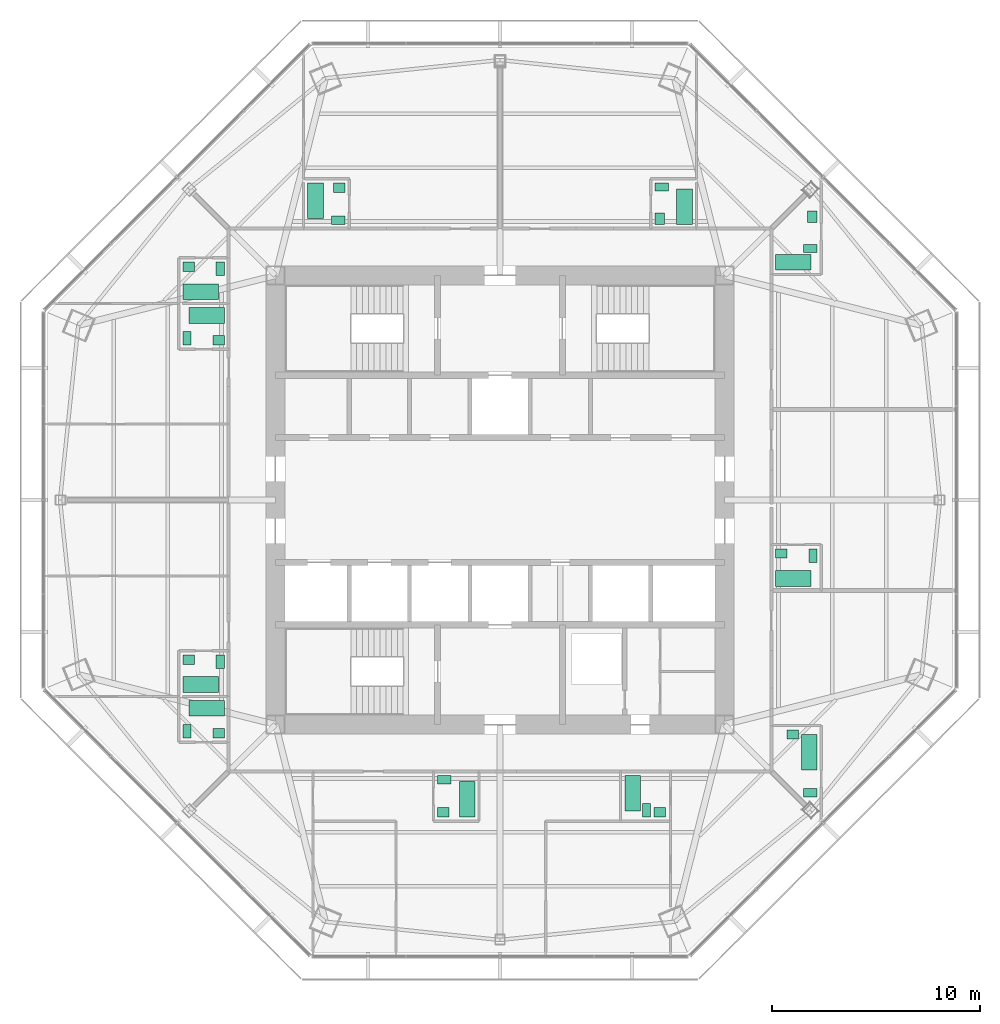
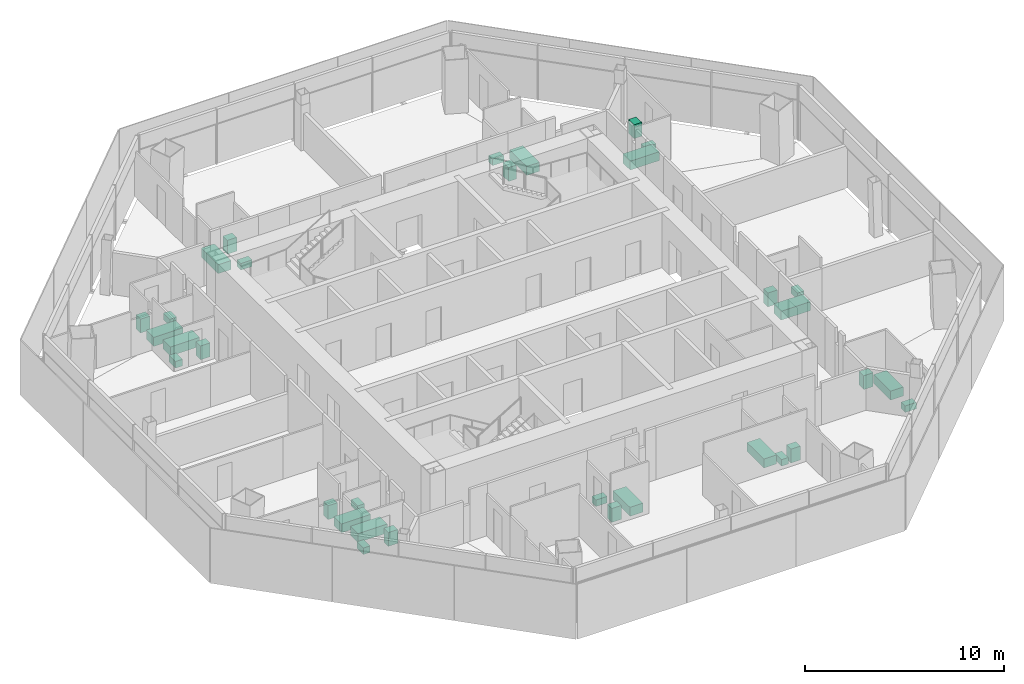
# One storey, part 15 of 15: 33 sanitary terminals.
"""IFC4 building model written with IfcOpenShell, lengths in metres."""

from ifc_helpers import new_model, si_unit, direction, frame, origin, origin_2d, place, context, subcontext, project, spatial, rectangle, extrude, material, type_object, element, save


model = new_model("IFC4")

# Units and contexts
model_context = context("Model", 3, precision=1e-05, world=origin(), true_north=direction((0.0, 1.0)))
body_context = subcontext(model_context, "Body", "Model", "MODEL_VIEW")
ifc_project = project(units=[si_unit("LENGTHUNIT", "METRE"), si_unit("AREAUNIT", "SQUARE_METRE"), si_unit("VOLUMEUNIT", "CUBIC_METRE"), si_unit("PLANEANGLEUNIT", "RADIAN"), si_unit("MASSUNIT", "GRAM", prefix="KILO")], contexts=[model_context])

# Site, building, storey
site_placement = place(None, origin())
site = spatial("IfcSite", under=ifc_project, at=site_placement, CompositionType="ELEMENT")
building_placement = place(site_placement, origin())
building = spatial("IfcBuilding", under=site, at=building_placement, Name="Mashrafa Tower", CompositionType="ELEMENT")
storey_placement = place(building_placement, frame((0.0, 0.0, 214.199951171875)))
storey = spatial("IfcBuildingStorey", under=building, at=storey_placement, Name="L49", CompositionType="ELEMENT", Elevation=214.199951171875)

# Sanitary terminals
ifc_material_1 = material(Name="Enamelled steel", Category="steel")
sanitary_terminal_type_1 = type_object("IfcSanitaryTerminalType", Name="Bath 1700 x 750", PredefinedType="BATH", material=ifc_material_1)
for number, where, z_axis, x_axis, name in (
    (1, (14.875, -12.13037109375, 0.0), (0.0, 0.0, 1.0), (0.0, 1.0, 0.0), "Bath Apartment 4901 Bathroom"),
    (2, (14.10009765625, -3.77490234375, 0.0), (0.0, 0.0, 1.0), (1.0, 0.0, 0.0), "Bath Apartment 4902 Bathroom"),
    (3, (14.10009765625, 11.425048828125, 0.0), (0.0, 0.0, 1.0), (1.0, 0.0, 0.0), "Bath Apartment 4903 Bathroom"),
    (4, (8.875, 14.10009765625, 0.0), (0.0, 0.0, 1.0), (0.0, 1.0, 0.0), "Bath Apartment 4904 Bathroom"),
    (5, (-8.875, 14.39990234375, 0.0), (0.0, 0.0, 1.0), (0.0, -1.0, 0.0), "Bath Apartment 4905 Bathroom"),
    (6, (-14.39990234375, 10.02490234375, 0.0), (0.0, 0.0, 1.0), (1.0, 0.0, 0.0), "Bath Apartment 4906 En-suite Bathroom"),
    (7, (-14.10009765625, 8.875, 0.0), (0.0, 0.0, 1.0), (-1.0, 0.0, 0.0), "Bath Apartment 4906 Bathroom"),
    (8, (-14.10009765625, -10.02490234375, 0.0), (0.0, 0.0, 1.0), (-1.0, 0.0, 0.0), "Bath Apartment 4907 En-suite Bathroom"),
    (9, (-14.39990234375, -8.875, 0.0), (0.0, 0.0, 1.0), (1.0, 0.0, 0.0), "Bath Apartment 4907 Bathroom"),
    (10, (-1.574951171875, -14.39990234375, 0.0), (0.0, 0.0, 1.0), (0.0, 1.0, 0.0), "Bath Apartment 4908 Bathroom"),
    (11, (6.375, -14.10009765625, 0.0), (0.0, 0.0, 1.0), (0.0, -1.0, 0.0), "Bath Apartment 4908 En-suite Bathroom"),
):
    element("IfcSanitaryTerminal", number, at=place(storey_placement, frame(where, z_axis=z_axis, x_axis=x_axis)), inside=storey, type_object=sanitary_terminal_type_1, Name=name, PredefinedType="BATH", context=body_context, shape_type="SweptSolid", body=[
        extrude(rectangle(XDim=1.699951171875, YDim=0.75, at=origin_2d()), origin(), (0.0, 0.0, 1.0), 0.550048828125),
    ])
ifc_material_2 = material(Name="Vitreous china")
sanitary_terminal_type_2 = type_object("IfcSanitaryTerminalType", Name="Toilet pan 400 x 650", PredefinedType="TOILETPAN", material=ifc_material_2)
for number, where, z_axis, x_axis, name in (
    (12, (14.925048828125, -14.080322265625, 0.0), (0.0, 0.0, 1.0), (0.0, 1.0, 0.0), "Toilet pan Apartment 4901 Bathroom"),
    (13, (15.050048828125, -2.675048828125, 0.0), (0.0, 0.0, 1.0), (-1.0, 0.0, 0.0), "Toilet pan Apartment 4902 Bathroom"),
    (14, (14.925048828125, 12.10009765625, 0.0), (0.0, 0.0, 1.0), (0.0, 1.0, 0.0), "Toilet pan Apartment 4903 Bathroom"),
    (15, (7.77490234375, 15.050048828125, 0.0), (0.0, 0.0, 1.0), (0.0, -1.0, 0.0), "Toilet pan Apartment 4904 Bathroom"),
    (16, (-7.77490234375, 13.449951171875, 0.0), (0.0, 0.0, 1.0), (0.0, 1.0, 0.0), "Toilet pan Apartment 4905 Bathroom"),
    (17, (-13.449951171875, 11.125, 0.0), (0.0, 0.0, 1.0), (-1.0, 0.0, 0.0), "Toilet pan Apartment 4906 En-suite Bathroom"),
    (18, (-15.050048828125, 7.77490234375, 0.0), (0.0, 0.0, 1.0), (1.0, 0.0, 0.0), "Toilet pan Apartment 4906 Bathroom"),
    (19, (-15.050048828125, -11.125, 0.0), (0.0, 0.0, 1.0), (1.0, 0.0, 0.0), "Toilet pan Apartment 4907 En-suite Bathroom"),
    (20, (-13.449951171875, -7.77490234375, 0.0), (0.0, 0.0, 1.0), (-1.0, 0.0, 0.0), "Toilet pan Apartment 4907 Bathroom"),
    (21, (-2.675048828125, -13.449951171875, 0.0), (0.0, 0.0, 1.0), (0.0, -1.0, 0.0), "Toilet pan Apartment 4908 Bathroom"),
    (22, (7.050048828125, -14.925048828125, 0.0), (0.0, 0.0, 1.0), (1.0, 0.0, 0.0), "Toilet pan Apartment 4908 En-suite Bathroom"),
):
    element("IfcSanitaryTerminal", number, at=place(storey_placement, frame(where, z_axis=z_axis, x_axis=x_axis)), inside=storey, type_object=sanitary_terminal_type_2, Name=name, PredefinedType="TOILETPAN", context=body_context, shape_type="SweptSolid", body=[
        extrude(rectangle(XDim=0.39990234375, YDim=0.64990234375, at=origin_2d()), origin(), (0.0, 0.0, 1.0), 0.39990234375),
    ])
ifc_material_3 = material(Name="Vitreous china")
sanitary_terminal_type_3 = type_object("IfcSanitaryTerminalType", Name="Wash basin 550 x 450", PredefinedType="WASHHANDBASIN", material=ifc_material_3)
for number, where, z_axis, x_axis, name in (
    (23, (14.074951171875, -11.27490234375, 0.0), (0.0, 0.0, 1.0), (-1.0, 0.0, 0.0), "Wash basin Apartment 4901 Bathroom"),
    (24, (13.52490234375, -2.574951171875, 0.0), (0.0, 0.0, 1.0), (-1.0, 0.0, 0.0), "Wash basin Apartment 4902 Bathroom"),
    (25, (15.02490234375, 13.625, 0.0), (0.0, 0.0, 1.0), (0.0, 1.0, 0.0), "Wash basin Apartment 4903 Bathroom"),
    (26, (7.675048828125, 13.52490234375, 0.0), (0.0, 0.0, 1.0), (0.0, -1.0, 0.0), "Wash basin Apartment 4904 Bathroom"),
    (27, (-7.72509765625, 15.02490234375, 0.0), (0.0, 0.0, 1.0), (-1.0, 0.0, 0.0), "Wash basin Apartment 4905 Bathroom"),
    (28, (-14.97509765625, 11.22509765625, 0.0), (0.0, 0.0, 1.0), (-1.0, 0.0, 0.0), "Wash basin Apartment 4906 En-suite Bathroom"),
    (29, (-13.52490234375, 7.675048828125, 0.0), (0.0, 0.0, 1.0), (1.0, 0.0, 0.0), "Wash basin Apartment 4906 Bathroom"),
    (30, (-13.52490234375, -11.22509765625, 0.0), (0.0, 0.0, 1.0), (1.0, 0.0, 0.0), "Wash basin Apartment 4907 En-suite Bathroom"),
    (31, (-14.97509765625, -7.675048828125, 0.0), (0.0, 0.0, 1.0), (-1.0, 0.0, 0.0), "Wash basin Apartment 4907 Bathroom"),
    (32, (-2.72509765625, -15.02490234375, 0.0), (0.0, 0.0, 1.0), (1.0, 0.0, 0.0), "Wash basin Apartment 4908 Bathroom"),
    (33, (7.675048828125, -15.02490234375, 0.0), (0.0, 0.0, 1.0), (1.0, 0.0, 0.0), "Wash basin Apartment 4908 En-suite Bathroom"),
):
    element("IfcSanitaryTerminal", number, at=place(storey_placement, frame(where, z_axis=z_axis, x_axis=x_axis)), inside=storey, type_object=sanitary_terminal_type_3, Name=name, PredefinedType="WASHHANDBASIN", context=body_context, shape_type="SweptSolid", body=[
        extrude(rectangle(XDim=0.550048828125, YDim=0.449951171875, at=origin_2d()), origin(), (0.0, 0.0, 1.0), 0.85009765625),
    ])

save(model, "model.ifc")
